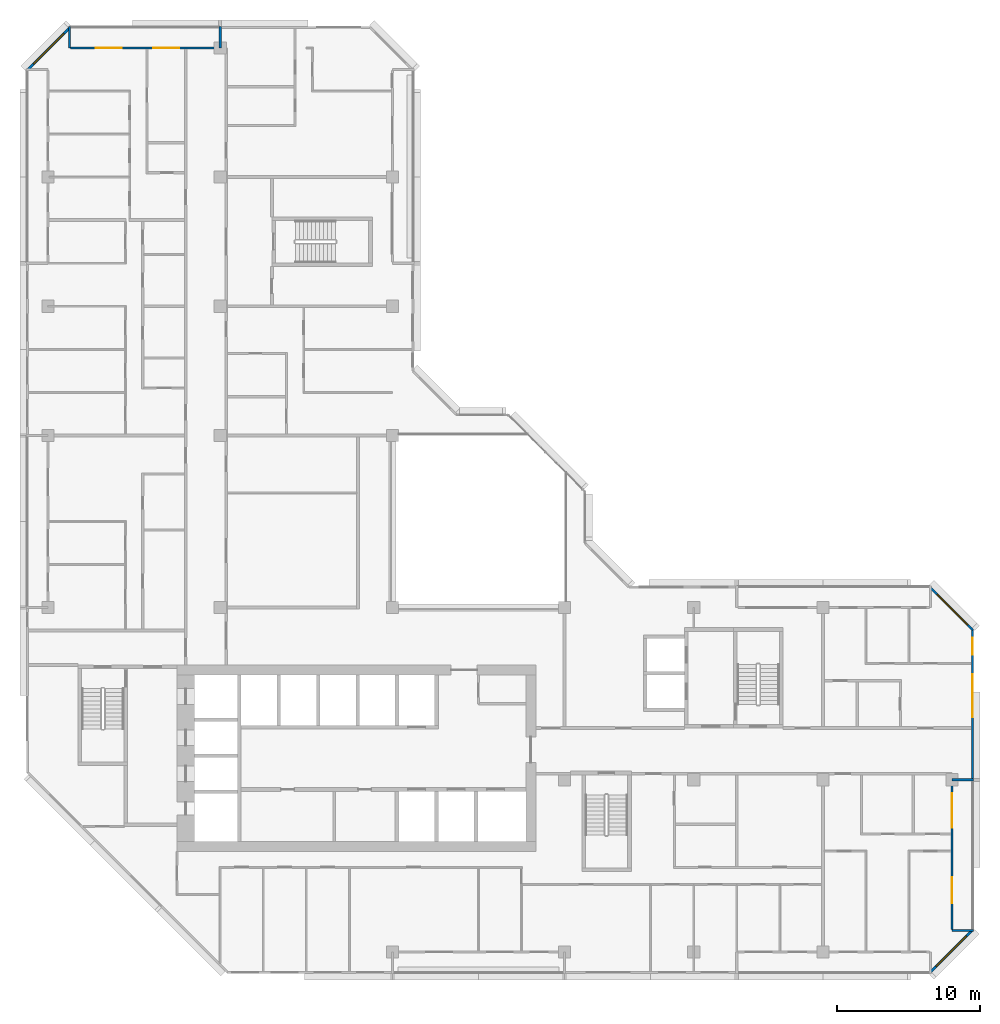
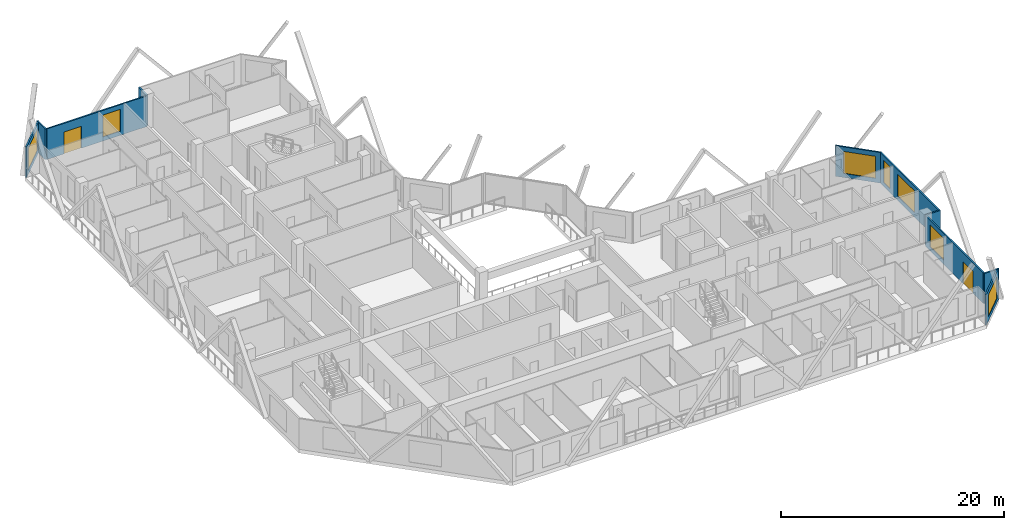
# One storey, part 12 of 16: 10 walls, 7 windows, 2 doors, 9 openings.
"""IFC4 building model written with IfcOpenShell, lengths in metres."""

from ifc_helpers import new_model, si_unit, direction, frame, frame_2d, origin, place, context, subcontext, project, spatial, rectangle, extrude, material, layer, layer_set, type_object, element, fill, save


model = new_model("IFC4")

# Units and contexts
model_context = context("Model", 3, precision=1e-05, world=origin(), true_north=direction((0.0, 1.0)))
body_context = subcontext(model_context, "Body", "Model", "MODEL_VIEW")
ifc_project = project(units=[si_unit("LENGTHUNIT", "METRE"), si_unit("AREAUNIT", "SQUARE_METRE"), si_unit("VOLUMEUNIT", "CUBIC_METRE"), si_unit("PLANEANGLEUNIT", "RADIAN"), si_unit("MASSUNIT", "GRAM", prefix="KILO")], contexts=[model_context])

# Site, building, storey
site_placement = place(None, origin())
site = spatial("IfcSite", under=ifc_project, at=site_placement, CompositionType="ELEMENT")
building_placement = place(site_placement, origin())
building = spatial("IfcBuilding", under=site, at=building_placement, Name="Chenar Terraces", CompositionType="ELEMENT")
storey_placement = place(building_placement, frame((0.0, 0.0, 219.14990234375)))
storey = spatial("IfcBuildingStorey", under=building, at=storey_placement, Name="L51", CompositionType="ELEMENT", Elevation=219.14990234375)

# Wall, openings, windows
ifc_material_1 = material(Name="Aluminium framed glazing", Category="aluminium")
ifc_layer_1 = layer(ifc_material_1, 0.14990234375)
ifc_layer_set_1 = layer_set([ifc_layer_1], Name="Aluminium framed glazing")
wall_type_1 = type_object("IfcWallType", Name="Glazed flush facade wall 150", PredefinedType="SOLIDWALL", material=ifc_layer_set_1)
wall_1_placement = place(storey_placement, frame((64.425048828125, 12.074951171875, 0.0), z_axis=(0.0, 0.0, 1.0), x_axis=(0.0, 1.0, 0.0)))
wall_1 = element("IfcWall", 1, at=wall_1_placement, inside=storey, type_object=wall_type_1, Name="Glazed flush facade wall", PredefinedType="SOLIDWALL", context=body_context, shape_type="SweptSolid", body=[
    extrude(rectangle(XDim=10.425048828125, YDim=0.14990234375, at=frame_2d((5.21240234375, 0.0))), origin(), (0.0, 0.0, 1.0), 3.35009765625),
])
opening_1_placement = place(wall_1_placement, frame((4.27490234375, 0.0, 0.449951171875)))
opening_1 = element("IfcOpeningElement", 2, at=opening_1_placement, cuts=wall_1, Name="Opening W300x240", PredefinedType="OPENING", context=body_context, shape_type="SweptSolid", body=[
    extrude(rectangle(XDim=3.0, YDim=2.39990234375, at=frame_2d((1.5, 1.199951171875))), frame((0.0, 0.0849609375, 0.0), z_axis=(0.0, -1.0, 0.0), x_axis=(1.0, 0.0, 0.0)), (0.0, 0.0, 1.0), 0.169921875),
])
opening_2_placement = place(wall_1_placement, frame((8.625, 0.0, 0.449951171875)))
opening_2 = element("IfcOpeningElement", 3, at=opening_2_placement, cuts=wall_1, Name="Opening W120x240", PredefinedType="OPENING", context=body_context, shape_type="SweptSolid", body=[
    extrude(rectangle(XDim=1.199951171875, YDim=2.39990234375, at=frame_2d((0.60009765625, 1.199951171875))), frame((0.0, 0.0849609375, 0.0), z_axis=(0.0, -1.0, 0.0), x_axis=(1.0, 0.0, 0.0)), (0.0, 0.0, 1.0), 0.169921875),
])
ifc_material_2 = material(Name="Low emissivity double glazing, aluminium frame", Category="aluminium")
window_type_1 = type_object("IfcWindowType", Name="Fixed light 1200 x 2400", PartitioningType="SINGLE_PANEL", PredefinedType="WINDOW", material=ifc_material_2)
window_1_placement = place(opening_2_placement, origin())
window_1 = element("IfcWindow", 4, at=window_1_placement, inside=storey, type_object=window_type_1, Name="Window", OverallHeight=2.39990234375, OverallWidth=1.199951171875, PartitioningType="SINGLE_PANEL", PredefinedType="WINDOW", context=body_context, shape_type="SweptSolid", body=[
    extrude(rectangle(XDim=1.199951171875, YDim=2.39990234375, at=frame_2d((0.60009765625, 1.199951171875))), frame((0.0, 0.030029296875, 0.0), z_axis=(0.0, -1.0, 0.0), x_axis=(1.0, 0.0, 0.0)), (0.0, 0.0, 1.0), 0.06005859375),
])
fill(opening_2, window_1)
ifc_material_3 = material(Name="Low emissivity double glazing, aluminium frame", Category="aluminium")
window_type_2 = type_object("IfcWindowType", Name="Fixed light 3000 x 2400", PartitioningType="SINGLE_PANEL", PredefinedType="WINDOW", material=ifc_material_3)
window_2_placement = place(opening_1_placement, origin())
window_2 = element("IfcWindow", 5, at=window_2_placement, inside=storey, type_object=window_type_2, Name="Window", OverallHeight=2.39990234375, OverallWidth=3.0, PartitioningType="SINGLE_PANEL", PredefinedType="WINDOW", context=body_context, shape_type="SweptSolid", body=[
    extrude(rectangle(XDim=3.0, YDim=2.39990234375, at=frame_2d((1.5, 1.199951171875))), frame((0.0, 0.030029296875, 0.0), z_axis=(0.0, -1.0, 0.0), x_axis=(1.0, 0.0, 0.0)), (0.0, 0.0, 1.0), 0.06005859375),
])
fill(opening_1, window_2)

# Wall, openings, window, door
ifc_material_4 = material(Name="Aluminium framed glazing", Category="aluminium")
ifc_layer_2 = layer(ifc_material_4, 0.14990234375)
ifc_layer_set_2 = layer_set([ifc_layer_2], Name="Aluminium framed glazing")
wall_type_2 = type_object("IfcWallType", Name="Glazed loggia back wall 150", PredefinedType="SOLIDWALL", material=ifc_layer_set_2)
wall_2_placement = place(storey_placement, frame((11.925048828125, 63.0, 0.0), z_axis=(0.0, 0.0, 1.0), x_axis=(-1.0, 0.0, 0.0)))
wall_2 = element("IfcWall", 6, at=wall_2_placement, inside=storey, type_object=wall_type_2, Name="Glazed loggia back wall", PredefinedType="SOLIDWALL", context=body_context, shape_type="SweptSolid", body=[
    extrude(rectangle(XDim=10.35009765625, YDim=0.14990234375, at=frame_2d((5.175048828125, 0.0))), origin(), (0.0, 0.0, 1.0), 3.35009765625),
])
opening_3_placement = place(wall_2_placement, frame((2.77490234375, 0.0, 0.449951171875)))
opening_3 = element("IfcOpeningElement", 7, at=opening_3_placement, cuts=wall_2, Name="Opening W180x240", PredefinedType="OPENING", context=body_context, shape_type="SweptSolid", body=[
    extrude(rectangle(XDim=1.800048828125, YDim=2.39990234375, at=frame_2d((0.89990234375, 1.199951171875))), frame((0.0, 0.0849609375, 0.0), z_axis=(0.0, -1.0, 0.0), x_axis=(1.0, 0.0, 0.0)), (0.0, 0.0, 1.0), 0.169921875),
])
opening_4_placement = place(wall_2_placement, frame((6.78759765625, 0.0, 0.0)))
opening_4 = element("IfcOpeningElement", 8, at=opening_4_placement, cuts=wall_2, Name="Opening DL51-G3", PredefinedType="OPENING", context=body_context, shape_type="SweptSolid", body=[
    extrude(rectangle(XDim=1.800048828125, YDim=2.39990234375, at=frame_2d((0.89990234375, 1.199951171875))), frame((0.0, 0.0849609375, 0.0), z_axis=(0.0, -1.0, 0.0), x_axis=(1.0, 0.0, 0.0)), (0.0, 0.0, 1.0), 0.169921875),
])
ifc_material_5 = material(Name="Low emissivity double glazing, aluminium frame", Category="aluminium")
window_type_3 = type_object("IfcWindowType", Name="Fixed light 1800 x 2400", PartitioningType="SINGLE_PANEL", PredefinedType="WINDOW", material=ifc_material_5)
window_3_placement = place(opening_3_placement, origin())
window_3 = element("IfcWindow", 9, at=window_3_placement, inside=storey, type_object=window_type_3, Name="Window", OverallHeight=2.39990234375, OverallWidth=1.800048828125, PartitioningType="SINGLE_PANEL", PredefinedType="WINDOW", context=body_context, shape_type="SweptSolid", body=[
    extrude(rectangle(XDim=1.800048828125, YDim=2.39990234375, at=frame_2d((0.89990234375, 1.199951171875))), frame((0.0, 0.030029296875, 0.0), z_axis=(0.0, -1.0, 0.0), x_axis=(1.0, 0.0, 0.0)), (0.0, 0.0, 1.0), 0.06005859375),
])
fill(opening_3, window_3)
ifc_material_6 = material(Name="Low emissivity double glazing, aluminium frame", Category="aluminium")
door_type = type_object("IfcDoorType", Name="Loggia glazed double door 1800 x 2400", OperationType="DOUBLE_DOOR_SINGLE_SWING", PredefinedType="DOOR", material=ifc_material_6)
door_1_placement = place(opening_4_placement, frame((1.800048828125, 0.0, 0.0), z_axis=(0.0, 0.0, 1.0), x_axis=(-1.0, 0.0, 0.0)))
door_1 = element("IfcDoor", 10, at=door_1_placement, inside=storey, type_object=door_type, Name="Loggia glazed door", OperationType="DOUBLE_DOOR_SINGLE_SWING", OverallHeight=2.39990234375, OverallWidth=1.800048828125, PredefinedType="DOOR", context=body_context, shape_type="SweptSolid", body=[
    extrude(rectangle(XDim=1.800048828125, YDim=2.39990234375, at=frame_2d((0.89990234375, 1.199951171875))), frame((0.0, 0.02490234375, 0.0), z_axis=(0.0, -1.0, 0.0), x_axis=(1.0, 0.0, 0.0)), (0.0, 0.0, 1.0), 0.050048828125),
])
fill(opening_4, door_1)

wall_3_placement = place(storey_placement, frame((63.0, 1.574951171875, 0.0), z_axis=(0.0, 0.0, 1.0), x_axis=(0.0, 1.0, 0.0)))
wall_3 = element("IfcWall", 11, at=wall_3_placement, inside=storey, type_object=wall_type_2, Name="Glazed loggia back wall", PredefinedType="SOLIDWALL", context=body_context, shape_type="SweptSolid", body=[
    extrude(rectangle(XDim=10.35009765625, YDim=0.14990234375, at=frame_2d((5.175048828125, 0.0))), origin(), (0.0, 0.0, 1.0), 3.35009765625),
])
opening_5_placement = place(wall_3_placement, frame((1.824951171875, 0.0, 0.0)))
opening_5 = element("IfcOpeningElement", 12, at=opening_5_placement, cuts=wall_3, Name="Opening DL51-G8", PredefinedType="OPENING", context=body_context, shape_type="SweptSolid", body=[
    extrude(rectangle(XDim=1.800048828125, YDim=2.39990234375, at=frame_2d((0.89990234375, 1.199951171875))), frame((0.0, 0.0849609375, 0.0), z_axis=(0.0, -1.0, 0.0), x_axis=(1.0, 0.0, 0.0)), (0.0, 0.0, 1.0), 0.169921875),
])
opening_6_placement = place(wall_3_placement, frame((7.074951171875, 0.0, 0.449951171875)))
opening_6 = element("IfcOpeningElement", 13, at=opening_6_placement, cuts=wall_3, Name="Opening W240x240", PredefinedType="OPENING", context=body_context, shape_type="SweptSolid", body=[
    extrude(rectangle(XDim=2.39990234375, YDim=2.39990234375, at=frame_2d((1.199951171875, 1.199951171875))), frame((0.0, 0.0849609375, 0.0), z_axis=(0.0, -1.0, 0.0), x_axis=(1.0, 0.0, 0.0)), (0.0, 0.0, 1.0), 0.169921875),
])
ifc_material_7 = material(Name="Low emissivity double glazing, aluminium frame", Category="aluminium")
window_type_4 = type_object("IfcWindowType", Name="Fixed light 2400 x 2400", PartitioningType="SINGLE_PANEL", PredefinedType="WINDOW", material=ifc_material_7)
window_4_placement = place(opening_6_placement, origin())
window_4 = element("IfcWindow", 14, at=window_4_placement, inside=storey, type_object=window_type_4, Name="Window", OverallHeight=2.39990234375, OverallWidth=2.39990234375, PartitioningType="SINGLE_PANEL", PredefinedType="WINDOW", context=body_context, shape_type="SweptSolid", body=[
    extrude(rectangle(XDim=2.39990234375, YDim=2.39990234375, at=frame_2d((1.199951171875, 1.199951171875))), frame((0.0, 0.030029296875, 0.0), z_axis=(0.0, -1.0, 0.0), x_axis=(1.0, 0.0, 0.0)), (0.0, 0.0, 1.0), 0.06005859375),
])
fill(opening_6, window_4)
door_2_placement = place(opening_5_placement, frame((1.800048828125, 0.0, 0.0), z_axis=(0.0, 0.0, 1.0), x_axis=(-1.0, 0.0, 0.0)))
door_2 = element("IfcDoor", 15, at=door_2_placement, inside=storey, type_object=door_type, Name="Loggia glazed door", OperationType="DOUBLE_DOOR_SINGLE_SWING", OverallHeight=2.39990234375, OverallWidth=1.800048828125, PredefinedType="DOOR", context=body_context, shape_type="SweptSolid", body=[
    extrude(rectangle(XDim=1.800048828125, YDim=2.39990234375, at=frame_2d((0.89990234375, 1.199951171875))), frame((0.0, 0.02490234375, 0.0), z_axis=(0.0, -1.0, 0.0), x_axis=(1.0, 0.0, 0.0)), (0.0, 0.0, 1.0), 0.050048828125),
])
fill(opening_5, door_2)

# Walls
ifc_material_8 = material(Name="Terracotta cladding on insulated backing", Category="masonry")
ifc_layer_3 = layer(ifc_material_8, 0.14990234375)
ifc_layer_set_3 = layer_set([ifc_layer_3], Name="Terracotta cladding on insulated backing")
wall_type_3 = type_object("IfcWallType", Name="Loggia return wall 150", PredefinedType="SOLIDWALL", material=ifc_layer_set_3)
for number, where, z_axis, x_axis, name in (
    (16, (12.0, 64.5, 0.0), (0.0, 0.0, 1.0), (0.0, -1.0, 0.0), "Loggia return wall"),
    (17, (1.5, 64.5, 0.0), (0.0, 0.0, 1.0), (0.0, -1.0, 0.0), "Loggia return wall"),
    (18, (64.5, 1.5, 0.0), (0.0, 0.0, 1.0), (-1.0, 0.0, 0.0), "Loggia return wall"),
    (19, (64.5, 12.0, 0.0), (0.0, 0.0, 1.0), (-1.0, 0.0, 0.0), "Loggia return wall"),
):
    element("IfcWall", number, at=place(storey_placement, frame(where, z_axis=z_axis, x_axis=x_axis)), inside=storey, type_object=wall_type_3, Name=name, PredefinedType="SOLIDWALL", context=body_context, shape_type="SweptSolid", body=[
        extrude(rectangle(XDim=1.5, YDim=0.14990234375, at=frame_2d((0.75, 0.0))), origin(), (0.0, 0.0, 1.0), 3.35009765625),
    ])

# Wall, opening, window
ifc_material_9 = material(Name="Terracotta cladding on insulated backing", Category="masonry")
ifc_layer_4 = layer(ifc_material_9, 0.14990234375)
ifc_layer_set_4 = layer_set([ifc_layer_4], Name="Terracotta cladding on insulated backing")
wall_type_4 = type_object("IfcWallType", Name="Terracotta rainscreen wall 150", PredefinedType="SOLIDWALL", material=ifc_layer_set_4)
wall_4_placement = place(storey_placement, frame((1.552978515625, 64.447021484375, 0.0), z_axis=(0.0, 0.0, 1.0), x_axis=(-0.707106781187, -0.707106781187, 0.0)))
wall_4 = element("IfcWall", 20, at=wall_4_placement, inside=storey, type_object=wall_type_4, Name="Terracotta rainscreen wall", PredefinedType="SOLIDWALL", context=body_context, shape_type="SweptSolid", body=[
    extrude(rectangle(XDim=4.24267578125, YDim=0.14990234375, at=frame_2d((2.121337890625, 0.0))), origin(), (0.0, 0.0, 1.0), 3.35009765625),
])
opening_7_placement = place(wall_4_placement, frame((0.621337890625, 0.0, 0.449951171875)))
opening_7 = element("IfcOpeningElement", 21, at=opening_7_placement, cuts=wall_4, Name="Opening W300x240", PredefinedType="OPENING", context=body_context, shape_type="SweptSolid", body=[
    extrude(rectangle(XDim=3.0, YDim=2.39990234375, at=frame_2d((1.5, 1.199951171875))), frame((0.0, 0.0849609375, 0.0), z_axis=(0.0, -1.0, 0.0), x_axis=(1.0, 0.0, 0.0)), (0.0, 0.0, 1.0), 0.169921875),
])
window_5_placement = place(opening_7_placement, origin())
window_5 = element("IfcWindow", 22, at=window_5_placement, inside=storey, type_object=window_type_2, Name="Window", OverallHeight=2.39990234375, OverallWidth=3.0, PartitioningType="SINGLE_PANEL", PredefinedType="WINDOW", context=body_context, shape_type="SweptSolid", body=[
    extrude(rectangle(XDim=3.0, YDim=2.39990234375, at=frame_2d((1.5, 1.199951171875))), frame((0.0, 0.030029296875, 0.0), z_axis=(0.0, -1.0, 0.0), x_axis=(1.0, 0.0, 0.0)), (0.0, 0.0, 1.0), 0.06005859375),
])
fill(opening_7, window_5)

wall_5_placement = place(storey_placement, frame((61.447021484375, -1.447021484375, 0.0), z_axis=(0.0, 0.0, 1.0), x_axis=(0.707106781187, 0.707106781187, 0.0)))
wall_5 = element("IfcWall", 23, at=wall_5_placement, inside=storey, type_object=wall_type_4, Name="Terracotta rainscreen wall", PredefinedType="SOLIDWALL", context=body_context, shape_type="SweptSolid", body=[
    extrude(rectangle(XDim=4.24267578125, YDim=0.14990234375, at=frame_2d((2.121337890625, 0.0))), origin(), (0.0, 0.0, 1.0), 3.35009765625),
])
opening_8_placement = place(wall_5_placement, frame((0.621337890625, 0.0, 0.449951171875)))
opening_8 = element("IfcOpeningElement", 24, at=opening_8_placement, cuts=wall_5, Name="Opening W300x240", PredefinedType="OPENING", context=body_context, shape_type="SweptSolid", body=[
    extrude(rectangle(XDim=3.0, YDim=2.39990234375, at=frame_2d((1.5, 1.199951171875))), frame((0.0, 0.0849609375, 0.0), z_axis=(0.0, -1.0, 0.0), x_axis=(1.0, 0.0, 0.0)), (0.0, 0.0, 1.0), 0.169921875),
])
window_6_placement = place(opening_8_placement, origin())
window_6 = element("IfcWindow", 25, at=window_6_placement, inside=storey, type_object=window_type_2, Name="Window", OverallHeight=2.39990234375, OverallWidth=3.0, PartitioningType="SINGLE_PANEL", PredefinedType="WINDOW", context=body_context, shape_type="SweptSolid", body=[
    extrude(rectangle(XDim=3.0, YDim=2.39990234375, at=frame_2d((1.5, 1.199951171875))), frame((0.0, 0.030029296875, 0.0), z_axis=(0.0, -1.0, 0.0), x_axis=(1.0, 0.0, 0.0)), (0.0, 0.0, 1.0), 0.06005859375),
])
fill(opening_8, window_6)

wall_6_placement = place(storey_placement, frame((64.447021484375, 22.447021484375, 0.0), z_axis=(0.0, 0.0, 1.0), x_axis=(-0.707106781187, 0.707106781187, 0.0)))
wall_6 = element("IfcWall", 26, at=wall_6_placement, inside=storey, type_object=wall_type_4, Name="Terracotta rainscreen wall", PredefinedType="SOLIDWALL", context=body_context, shape_type="SweptSolid", body=[
    extrude(rectangle(XDim=4.24267578125, YDim=0.14990234375, at=frame_2d((2.121337890625, 0.0))), origin(), (0.0, 0.0, 1.0), 3.35009765625),
])
opening_9_placement = place(wall_6_placement, frame((0.498046875, 0.0, 0.449951171875)))
opening_9 = element("IfcOpeningElement", 27, at=opening_9_placement, cuts=wall_6, Name="Opening W300x240", PredefinedType="OPENING", context=body_context, shape_type="SweptSolid", body=[
    extrude(rectangle(XDim=3.0, YDim=2.39990234375, at=frame_2d((1.5, 1.199951171875))), frame((0.0, 0.0849609375, 0.0), z_axis=(0.0, -1.0, 0.0), x_axis=(1.0, 0.0, 0.0)), (0.0, 0.0, 1.0), 0.169921875),
])
window_7_placement = place(opening_9_placement, origin())
window_7 = element("IfcWindow", 28, at=window_7_placement, inside=storey, type_object=window_type_2, Name="Window", OverallHeight=2.39990234375, OverallWidth=3.0, PartitioningType="SINGLE_PANEL", PredefinedType="WINDOW", context=body_context, shape_type="SweptSolid", body=[
    extrude(rectangle(XDim=3.0, YDim=2.39990234375, at=frame_2d((1.5, 1.199951171875))), frame((0.0, 0.030029296875, 0.0), z_axis=(0.0, -1.0, 0.0), x_axis=(1.0, 0.0, 0.0)), (0.0, 0.0, 1.0), 0.06005859375),
])
fill(opening_9, window_7)

save(model, "model.ifc")
